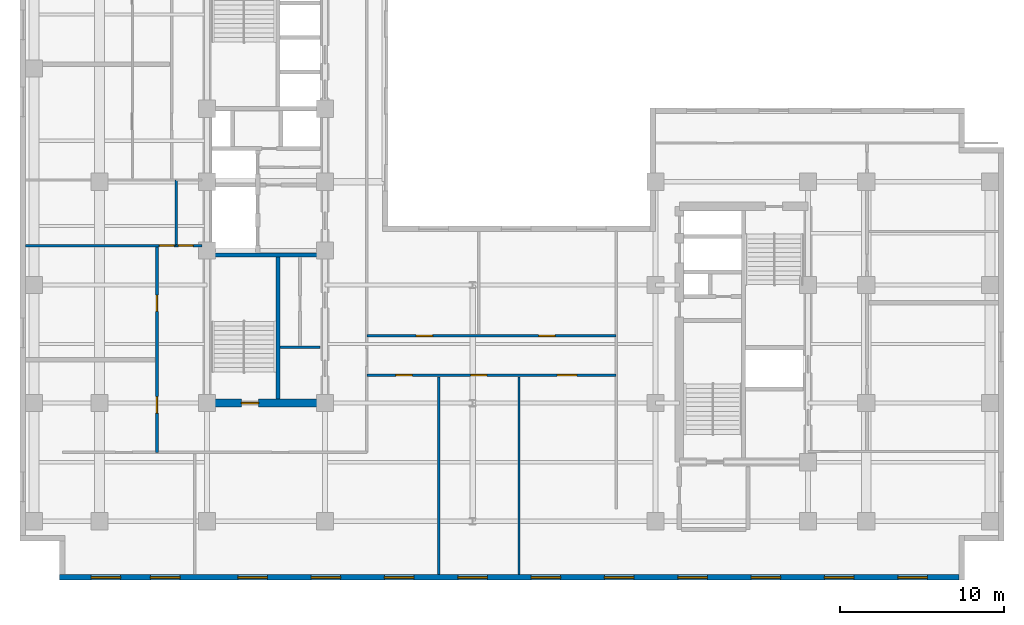
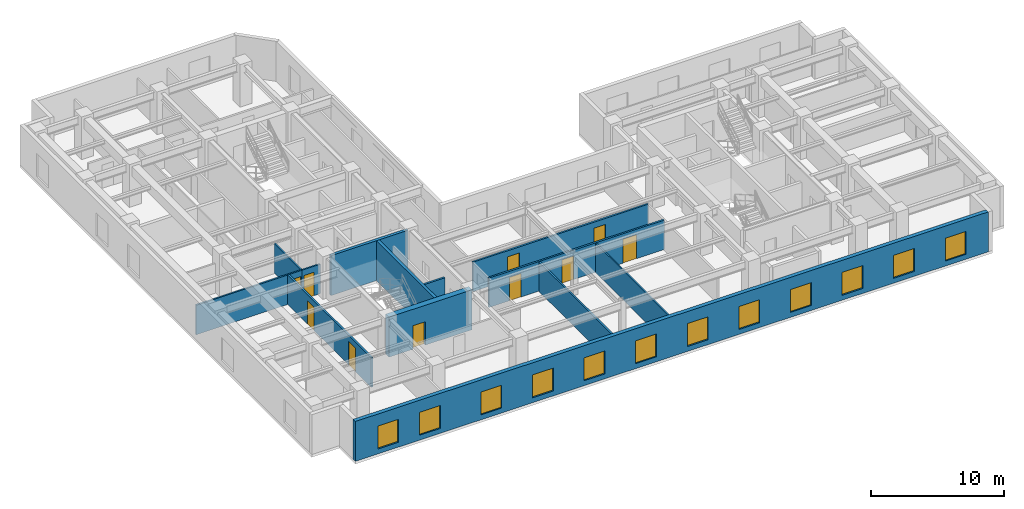
# One storey, part 3 of 10: 13 walls, 12 windows, 10 doors, 22 openings.
"""IFC4 building model written with IfcOpenShell, lengths in metres."""

from ifc_helpers import new_model, entity, si_unit, converted_unit, direction, frame, origin_with_axes, origin_2d_with_axis, place, context, subcontext, project, spatial, polyline, rectangle, outline, extrude, material, layer, layer_set, type_object, element, fill, save


model = new_model("IFC4")

# Units and contexts
model_context = context("Model", 3, precision=1e-05, world=origin_with_axes(), true_north=direction((0.0, 1.0)))
body_context = subcontext(model_context, "Body", "Model", "MODEL_VIEW")
ifc_project = project(units=[si_unit("LENGTHUNIT", "METRE"), si_unit("AREAUNIT", "SQUARE_METRE"), si_unit("VOLUMEUNIT", "CUBIC_METRE"), converted_unit("PLANEANGLEUNIT", "DEGREE", entity("IfcPlaneAngleMeasure", 0.017453292519943295), si_unit("PLANEANGLEUNIT", "RADIAN"), dimensions=[0, 0, 0, 0, 0, 0, 0]), si_unit("MASSUNIT", "GRAM", prefix="KILO"), si_unit("THERMODYNAMICTEMPERATUREUNIT", "KELVIN")], contexts=[model_context])

# Site, building, storey
site_placement = place(None, origin_with_axes())
site = spatial("IfcSite", under=ifc_project, at=site_placement, CompositionType="ELEMENT")
building_placement = place(site_placement, origin_with_axes())
building = spatial("IfcBuilding", under=site, at=building_placement, Name="Varnlund Millrace Tower", CompositionType="ELEMENT")
storey_placement = place(building_placement, frame((0.0, 0.0, 148.5), z_axis=(0.0, 0.0, 1.0), x_axis=(1.0, 0.0, 0.0)))
storey = spatial("IfcBuildingStorey", under=building, at=storey_placement, Name="L36", CompositionType="ELEMENT", Elevation=148.5)

# Wall, opening, door
ifc_material_1 = material(Name="Concrete C70/85", Category="concrete")
ifc_layer_1 = layer(ifc_material_1, 0.5, Name="Concrete C70/85")
ifc_layer_set_1 = layer_set([ifc_layer_1], Name="Concrete C70/85")
wall_type_1 = type_object("IfcWallType", Name="Type-CoreWall-Shear-500-C70", PredefinedType="SHEAR", material=ifc_layer_set_1)
wall_1_placement = place(storey_placement, frame((11.4, 10.8, 0.0), z_axis=(0.0, 0.0, 1.0), x_axis=(1.0, 0.0, 0.0)))
wall_1 = element("IfcWall", 1, at=wall_1_placement, inside=storey, type_object=wall_type_1, Name="Type-CoreWall-Shear-500-C70", PredefinedType="SHEAR", context=body_context, shape_type="SweptSolid", body=[
    extrude(outline(polyline([(0.0, -0.25), (7.2, -0.25), (7.2, 0.25), (0.0, 0.25), (0.0, -0.25)])), origin_with_axes(), (0.0, 0.0, 1.0), 3.66),
])
opening_1_placement = place(wall_1_placement, frame((2.625, 0.0, 0.0), z_axis=(0.0, 0.0, 1.0), x_axis=(1.0, 0.0, 0.0)))
opening_1 = element("IfcOpeningElement", 2, at=opening_1_placement, cuts=wall_1, Name="Opening L36:DR-STA1", PredefinedType="OPENING", context=body_context, shape_type="SweptSolid", body=[
    extrude(rectangle(XDim=1.05, YDim=0.52, at=origin_2d_with_axis()), origin_with_axes(), (0.0, 0.0, 1.0), 2.15),
])
ifc_material_2 = material(Name="Fire-rated hollow steel door", Category="steel")
door_type_1 = type_object("IfcDoorType", Name="Type-FireDoor-Stair-1050X2150", OperationType="NOTDEFINED", PredefinedType="DOOR", material=ifc_material_2)
door_1_placement = place(wall_1_placement, frame((2.625, 0.0, 0.0), z_axis=(0.0, 0.0, 1.0), x_axis=(1.0, 0.0, 0.0)))
door_1 = element("IfcDoor", 3, at=door_1_placement, inside=storey, type_object=door_type_1, Name="Type-FireDoor-Stair-1050X2150", OperationType="SINGLE_SWING_LEFT", OverallHeight=2.15, OverallWidth=1.05, PredefinedType="DOOR", context=body_context, shape_type="SweptSolid", body=[
    extrude(rectangle(XDim=1.05, YDim=0.09, at=origin_2d_with_axis()), origin_with_axes(), (0.0, 0.0, 1.0), 2.15),
])
fill(opening_1, door_1)

# Wall, openings, windows
ifc_material_3 = material(Name="Precast concrete C50/60", Category="concrete")
ifc_layer_2 = layer(ifc_material_3, 0.34, Name="Precast concrete C50/60")
ifc_layer_set_2 = layer_set([ifc_layer_2], Name="Precast concrete C50/60")
wall_type_2 = type_object("IfcWallType", Name="Type-ExtWall-Precast-Upper-340", PredefinedType="SOLIDWALL", material=ifc_layer_set_2)
wall_2_placement = place(storey_placement, frame((57.26, 0.17, 0.0), z_axis=(0.0, 0.0, 1.0), x_axis=(-1.0, 0.0, 0.0)))
wall_2 = element("IfcWall", 4, at=wall_2_placement, inside=storey, type_object=wall_type_2, Name="Type-ExtWall-Precast-Upper-340", PredefinedType="SOLIDWALL", context=body_context, shape_type="SweptSolid", body=[
    extrude(outline(polyline([(0.0, -0.17), (54.86, -0.17), (54.86, 0.17), (0.0, 0.17), (0.0, -0.17)])), origin_with_axes(), (0.0, 0.0, 1.0), 3.66),
])
opening_2_placement = place(wall_2_placement, frame((2.836, 0.0, 0.45), z_axis=(0.0, 0.0, 1.0), x_axis=(1.0, 0.0, 0.0)))
opening_2 = element("IfcOpeningElement", 5, at=opening_2_placement, cuts=wall_2, Name="Opening L36:WN-07", PredefinedType="OPENING", context=body_context, shape_type="SweptSolid", body=[
    extrude(rectangle(XDim=1.8, YDim=0.36, at=origin_2d_with_axis()), origin_with_axes(), (0.0, 0.0, 1.0), 2.1),
])
opening_3_placement = place(wall_2_placement, frame((7.307, 0.0, 0.45), z_axis=(0.0, 0.0, 1.0), x_axis=(1.0, 0.0, 0.0)))
opening_3 = element("IfcOpeningElement", 6, at=opening_3_placement, cuts=wall_2, Name="Opening L36:WN-08", PredefinedType="OPENING", context=body_context, shape_type="SweptSolid", body=[
    extrude(rectangle(XDim=1.8, YDim=0.36, at=origin_2d_with_axis()), origin_with_axes(), (0.0, 0.0, 1.0), 2.1),
])
opening_4_placement = place(wall_2_placement, frame((11.779, 0.0, 0.45), z_axis=(0.0, 0.0, 1.0), x_axis=(1.0, 0.0, 0.0)))
opening_4 = element("IfcOpeningElement", 7, at=opening_4_placement, cuts=wall_2, Name="Opening L36:WN-09", PredefinedType="OPENING", context=body_context, shape_type="SweptSolid", body=[
    extrude(rectangle(XDim=1.8, YDim=0.36, at=origin_2d_with_axis()), origin_with_axes(), (0.0, 0.0, 1.0), 2.1),
])
opening_5_placement = place(wall_2_placement, frame((16.251, 0.0, 0.45), z_axis=(0.0, 0.0, 1.0), x_axis=(1.0, 0.0, 0.0)))
opening_5 = element("IfcOpeningElement", 8, at=opening_5_placement, cuts=wall_2, Name="Opening L36:WN-10", PredefinedType="OPENING", context=body_context, shape_type="SweptSolid", body=[
    extrude(rectangle(XDim=1.8, YDim=0.36, at=origin_2d_with_axis()), origin_with_axes(), (0.0, 0.0, 1.0), 2.1),
])
opening_6_placement = place(wall_2_placement, frame((20.723, 0.0, 0.45), z_axis=(0.0, 0.0, 1.0), x_axis=(1.0, 0.0, 0.0)))
opening_6 = element("IfcOpeningElement", 9, at=opening_6_placement, cuts=wall_2, Name="Opening L36:WN-11", PredefinedType="OPENING", context=body_context, shape_type="SweptSolid", body=[
    extrude(rectangle(XDim=1.8, YDim=0.36, at=origin_2d_with_axis()), origin_with_axes(), (0.0, 0.0, 1.0), 2.1),
])
opening_7_placement = place(wall_2_placement, frame((25.194, 0.0, 0.45), z_axis=(0.0, 0.0, 1.0), x_axis=(1.0, 0.0, 0.0)))
opening_7 = element("IfcOpeningElement", 10, at=opening_7_placement, cuts=wall_2, Name="Opening L36:WN-12", PredefinedType="OPENING", context=body_context, shape_type="SweptSolid", body=[
    extrude(rectangle(XDim=1.8, YDim=0.36, at=origin_2d_with_axis()), origin_with_axes(), (0.0, 0.0, 1.0), 2.1),
])
opening_8_placement = place(wall_2_placement, frame((29.666, 0.0, 0.45), z_axis=(0.0, 0.0, 1.0), x_axis=(1.0, 0.0, 0.0)))
opening_8 = element("IfcOpeningElement", 11, at=opening_8_placement, cuts=wall_2, Name="Opening L36:WN-13", PredefinedType="OPENING", context=body_context, shape_type="SweptSolid", body=[
    extrude(rectangle(XDim=1.8, YDim=0.36, at=origin_2d_with_axis()), origin_with_axes(), (0.0, 0.0, 1.0), 2.1),
])
opening_9_placement = place(wall_2_placement, frame((34.138, 0.0, 0.45), z_axis=(0.0, 0.0, 1.0), x_axis=(1.0, 0.0, 0.0)))
opening_9 = element("IfcOpeningElement", 12, at=opening_9_placement, cuts=wall_2, Name="Opening L36:WN-14", PredefinedType="OPENING", context=body_context, shape_type="SweptSolid", body=[
    extrude(rectangle(XDim=1.8, YDim=0.36, at=origin_2d_with_axis()), origin_with_axes(), (0.0, 0.0, 1.0), 2.1),
])
opening_10_placement = place(wall_2_placement, frame((38.609, 0.0, 0.45), z_axis=(0.0, 0.0, 1.0), x_axis=(1.0, 0.0, 0.0)))
opening_10 = element("IfcOpeningElement", 13, at=opening_10_placement, cuts=wall_2, Name="Opening L36:WN-15", PredefinedType="OPENING", context=body_context, shape_type="SweptSolid", body=[
    extrude(rectangle(XDim=1.8, YDim=0.36, at=origin_2d_with_axis()), origin_with_axes(), (0.0, 0.0, 1.0), 2.1),
])
opening_11_placement = place(wall_2_placement, frame((43.081, 0.0, 0.45), z_axis=(0.0, 0.0, 1.0), x_axis=(1.0, 0.0, 0.0)))
opening_11 = element("IfcOpeningElement", 14, at=opening_11_placement, cuts=wall_2, Name="Opening L36:WN-16", PredefinedType="OPENING", context=body_context, shape_type="SweptSolid", body=[
    extrude(rectangle(XDim=1.8, YDim=0.36, at=origin_2d_with_axis()), origin_with_axes(), (0.0, 0.0, 1.0), 2.1),
])
opening_12_placement = place(wall_2_placement, frame((48.403, 0.0, 0.45), z_axis=(0.0, 0.0, 1.0), x_axis=(1.0, 0.0, 0.0)))
opening_12 = element("IfcOpeningElement", 15, at=opening_12_placement, cuts=wall_2, Name="Opening L36:WN-17", PredefinedType="OPENING", context=body_context, shape_type="SweptSolid", body=[
    extrude(rectangle(XDim=1.8, YDim=0.36, at=origin_2d_with_axis()), origin_with_axes(), (0.0, 0.0, 1.0), 2.1),
])
opening_13_placement = place(wall_2_placement, frame((52.024, 0.0, 0.45), z_axis=(0.0, 0.0, 1.0), x_axis=(1.0, 0.0, 0.0)))
opening_13 = element("IfcOpeningElement", 16, at=opening_13_placement, cuts=wall_2, Name="Opening L36:WN-18", PredefinedType="OPENING", context=body_context, shape_type="SweptSolid", body=[
    extrude(rectangle(XDim=1.8, YDim=0.36, at=origin_2d_with_axis()), origin_with_axes(), (0.0, 0.0, 1.0), 2.1),
])
ifc_material_4 = material(Name="Argon low-e triple glazing in thermally broken bronze frame", Category="glass")
window_type = type_object("IfcWindowType", Name="Type-Window-Punched-1800X2100", PartitioningType="SINGLE_PANEL", PredefinedType="WINDOW", material=ifc_material_4)
window_1_placement = place(wall_2_placement, frame((2.836, 0.0, 0.45), z_axis=(0.0, 0.0, 1.0), x_axis=(1.0, 0.0, 0.0)))
window_1 = element("IfcWindow", 17, at=window_1_placement, inside=storey, type_object=window_type, Name="Type-Window-Punched-1800X2100", OverallHeight=2.1, OverallWidth=1.8, PredefinedType="WINDOW", context=body_context, shape_type="SweptSolid", body=[
    extrude(rectangle(XDim=1.8, YDim=0.09, at=origin_2d_with_axis()), origin_with_axes(), (0.0, 0.0, 1.0), 2.1),
])
fill(opening_2, window_1)
window_2_placement = place(wall_2_placement, frame((7.307, 0.0, 0.45), z_axis=(0.0, 0.0, 1.0), x_axis=(1.0, 0.0, 0.0)))
window_2 = element("IfcWindow", 18, at=window_2_placement, inside=storey, type_object=window_type, Name="Type-Window-Punched-1800X2100", OverallHeight=2.1, OverallWidth=1.8, PredefinedType="WINDOW", context=body_context, shape_type="SweptSolid", body=[
    extrude(rectangle(XDim=1.8, YDim=0.09, at=origin_2d_with_axis()), origin_with_axes(), (0.0, 0.0, 1.0), 2.1),
])
fill(opening_3, window_2)
window_3_placement = place(wall_2_placement, frame((11.779, 0.0, 0.45), z_axis=(0.0, 0.0, 1.0), x_axis=(1.0, 0.0, 0.0)))
window_3 = element("IfcWindow", 19, at=window_3_placement, inside=storey, type_object=window_type, Name="Type-Window-Punched-1800X2100", OverallHeight=2.1, OverallWidth=1.8, PredefinedType="WINDOW", context=body_context, shape_type="SweptSolid", body=[
    extrude(rectangle(XDim=1.8, YDim=0.09, at=origin_2d_with_axis()), origin_with_axes(), (0.0, 0.0, 1.0), 2.1),
])
fill(opening_4, window_3)
window_4_placement = place(wall_2_placement, frame((16.251, 0.0, 0.45), z_axis=(0.0, 0.0, 1.0), x_axis=(1.0, 0.0, 0.0)))
window_4 = element("IfcWindow", 20, at=window_4_placement, inside=storey, type_object=window_type, Name="Type-Window-Punched-1800X2100", OverallHeight=2.1, OverallWidth=1.8, PredefinedType="WINDOW", context=body_context, shape_type="SweptSolid", body=[
    extrude(rectangle(XDim=1.8, YDim=0.09, at=origin_2d_with_axis()), origin_with_axes(), (0.0, 0.0, 1.0), 2.1),
])
fill(opening_5, window_4)
window_5_placement = place(wall_2_placement, frame((20.723, 0.0, 0.45), z_axis=(0.0, 0.0, 1.0), x_axis=(1.0, 0.0, 0.0)))
window_5 = element("IfcWindow", 21, at=window_5_placement, inside=storey, type_object=window_type, Name="Type-Window-Punched-1800X2100", OverallHeight=2.1, OverallWidth=1.8, PredefinedType="WINDOW", context=body_context, shape_type="SweptSolid", body=[
    extrude(rectangle(XDim=1.8, YDim=0.09, at=origin_2d_with_axis()), origin_with_axes(), (0.0, 0.0, 1.0), 2.1),
])
fill(opening_6, window_5)
window_6_placement = place(wall_2_placement, frame((25.194, 0.0, 0.45), z_axis=(0.0, 0.0, 1.0), x_axis=(1.0, 0.0, 0.0)))
window_6 = element("IfcWindow", 22, at=window_6_placement, inside=storey, type_object=window_type, Name="Type-Window-Punched-1800X2100", OverallHeight=2.1, OverallWidth=1.8, PredefinedType="WINDOW", context=body_context, shape_type="SweptSolid", body=[
    extrude(rectangle(XDim=1.8, YDim=0.09, at=origin_2d_with_axis()), origin_with_axes(), (0.0, 0.0, 1.0), 2.1),
])
fill(opening_7, window_6)
window_7_placement = place(wall_2_placement, frame((29.666, 0.0, 0.45), z_axis=(0.0, 0.0, 1.0), x_axis=(1.0, 0.0, 0.0)))
window_7 = element("IfcWindow", 23, at=window_7_placement, inside=storey, type_object=window_type, Name="Type-Window-Punched-1800X2100", OverallHeight=2.1, OverallWidth=1.8, PredefinedType="WINDOW", context=body_context, shape_type="SweptSolid", body=[
    extrude(rectangle(XDim=1.8, YDim=0.09, at=origin_2d_with_axis()), origin_with_axes(), (0.0, 0.0, 1.0), 2.1),
])
fill(opening_8, window_7)
window_8_placement = place(wall_2_placement, frame((34.138, 0.0, 0.45), z_axis=(0.0, 0.0, 1.0), x_axis=(1.0, 0.0, 0.0)))
window_8 = element("IfcWindow", 24, at=window_8_placement, inside=storey, type_object=window_type, Name="Type-Window-Punched-1800X2100", OverallHeight=2.1, OverallWidth=1.8, PredefinedType="WINDOW", context=body_context, shape_type="SweptSolid", body=[
    extrude(rectangle(XDim=1.8, YDim=0.09, at=origin_2d_with_axis()), origin_with_axes(), (0.0, 0.0, 1.0), 2.1),
])
fill(opening_9, window_8)
window_9_placement = place(wall_2_placement, frame((38.609, 0.0, 0.45), z_axis=(0.0, 0.0, 1.0), x_axis=(1.0, 0.0, 0.0)))
window_9 = element("IfcWindow", 25, at=window_9_placement, inside=storey, type_object=window_type, Name="Type-Window-Punched-1800X2100", OverallHeight=2.1, OverallWidth=1.8, PredefinedType="WINDOW", context=body_context, shape_type="SweptSolid", body=[
    extrude(rectangle(XDim=1.8, YDim=0.09, at=origin_2d_with_axis()), origin_with_axes(), (0.0, 0.0, 1.0), 2.1),
])
fill(opening_10, window_9)
window_10_placement = place(wall_2_placement, frame((43.081, 0.0, 0.45), z_axis=(0.0, 0.0, 1.0), x_axis=(1.0, 0.0, 0.0)))
window_10 = element("IfcWindow", 26, at=window_10_placement, inside=storey, type_object=window_type, Name="Type-Window-Punched-1800X2100", OverallHeight=2.1, OverallWidth=1.8, PredefinedType="WINDOW", context=body_context, shape_type="SweptSolid", body=[
    extrude(rectangle(XDim=1.8, YDim=0.09, at=origin_2d_with_axis()), origin_with_axes(), (0.0, 0.0, 1.0), 2.1),
])
fill(opening_11, window_10)
window_11_placement = place(wall_2_placement, frame((48.403, 0.0, 0.45), z_axis=(0.0, 0.0, 1.0), x_axis=(1.0, 0.0, 0.0)))
window_11 = element("IfcWindow", 27, at=window_11_placement, inside=storey, type_object=window_type, Name="Type-Window-Punched-1800X2100", OverallHeight=2.1, OverallWidth=1.8, PredefinedType="WINDOW", context=body_context, shape_type="SweptSolid", body=[
    extrude(rectangle(XDim=1.8, YDim=0.09, at=origin_2d_with_axis()), origin_with_axes(), (0.0, 0.0, 1.0), 2.1),
])
fill(opening_12, window_11)
window_12_placement = place(wall_2_placement, frame((52.024, 0.0, 0.45), z_axis=(0.0, 0.0, 1.0), x_axis=(1.0, 0.0, 0.0)))
window_12 = element("IfcWindow", 28, at=window_12_placement, inside=storey, type_object=window_type, Name="Type-Window-Punched-1800X2100", OverallHeight=2.1, OverallWidth=1.8, PredefinedType="WINDOW", context=body_context, shape_type="SweptSolid", body=[
    extrude(rectangle(XDim=1.8, YDim=0.09, at=origin_2d_with_axis()), origin_with_axes(), (0.0, 0.0, 1.0), 2.1),
])
fill(opening_13, window_12)

# Wall
ifc_material_5 = material(Name="Fire-rated gypsum board on cold-formed steel framing", Category="steel")
ifc_layer_3 = layer(ifc_material_5, 0.16, Name="Fire-rated gypsum board on cold-formed steel framing")
ifc_layer_set_3 = layer_set([ifc_layer_3], Name="Fire-rated gypsum board on cold-formed steel framing")
wall_type_3 = type_object("IfcWallType", Name="Type-Partition-Corridor-160", PredefinedType="PARTITIONING", material=ifc_layer_set_3)
wall_3_placement = place(storey_placement, frame((15.84, 14.2, 0.0), z_axis=(0.0, 0.0, 1.0), x_axis=(1.0, 0.0, 0.0)))
element("IfcWall", 29, at=wall_3_placement, inside=storey, type_object=wall_type_3, Name="Type-Partition-Corridor-160", PredefinedType="PARTITIONING", context=body_context, shape_type="SweptSolid", body=[
    extrude(outline(polyline([(0.0, -0.08), (2.46, -0.08), (2.46, 0.08), (0.0, 0.08), (0.0, -0.08)])), origin_with_axes(), (0.0, 0.0, 1.0), 2.7),
])

# Wall, openings, doors
wall_4_placement = place(storey_placement, frame((8.35, 7.8, 0.0), z_axis=(0.0, 0.0, 1.0), x_axis=(0.0, 1.0, 0.0)))
wall_4 = element("IfcWall", 30, at=wall_4_placement, inside=storey, type_object=wall_type_3, Name="Type-Partition-Corridor-160", PredefinedType="PARTITIONING", context=body_context, shape_type="SweptSolid", body=[
    extrude(outline(polyline([(0.0, -0.08), (12.6, -0.08), (12.6, 0.08), (0.0, 0.08), (0.0, -0.08)])), origin_with_axes(), (0.0, 0.0, 1.0), 2.7),
])
opening_14_placement = place(wall_4_placement, frame((2.8925, 0.0, 0.0), z_axis=(0.0, 0.0, 1.0), x_axis=(1.0, 0.0, 0.0)))
opening_14 = element("IfcOpeningElement", 31, at=opening_14_placement, cuts=wall_4, Name="Opening L36:DR-WS-01", PredefinedType="OPENING", context=body_context, shape_type="SweptSolid", body=[
    extrude(rectangle(XDim=1.0, YDim=0.18, at=origin_2d_with_axis()), origin_with_axes(), (0.0, 0.0, 1.0), 2.15),
])
opening_15_placement = place(wall_4_placement, frame((9.0875, 0.0, 0.0), z_axis=(0.0, 0.0, 1.0), x_axis=(1.0, 0.0, 0.0)))
opening_15 = element("IfcOpeningElement", 32, at=opening_15_placement, cuts=wall_4, Name="Opening L36:DR-WS-02", PredefinedType="OPENING", context=body_context, shape_type="SweptSolid", body=[
    extrude(rectangle(XDim=1.0, YDim=0.18, at=origin_2d_with_axis()), origin_with_axes(), (0.0, 0.0, 1.0), 2.15),
])
ifc_material_6 = material(Name="Solid-core white oak and bronze frame door")
door_type_2 = type_object("IfcDoorType", Name="Type-IntDoor-Office-1000X2150", OperationType="NOTDEFINED", PredefinedType="DOOR", material=ifc_material_6)
door_2_placement = place(wall_4_placement, frame((2.8925, 0.0, 0.0), z_axis=(0.0, 0.0, 1.0), x_axis=(1.0, 0.0, 0.0)))
door_2 = element("IfcDoor", 33, at=door_2_placement, inside=storey, type_object=door_type_2, Name="Type-IntDoor-Office-1000X2150", OperationType="SINGLE_SWING_LEFT", OverallHeight=2.15, OverallWidth=1.0, PredefinedType="DOOR", context=body_context, shape_type="SweptSolid", body=[
    extrude(rectangle(XDim=1.0, YDim=0.09, at=origin_2d_with_axis()), origin_with_axes(), (0.0, 0.0, 1.0), 2.15),
])
fill(opening_14, door_2)
door_3_placement = place(wall_4_placement, frame((9.0875, 0.0, 0.0), z_axis=(0.0, 0.0, 1.0), x_axis=(1.0, 0.0, 0.0)))
door_3 = element("IfcDoor", 34, at=door_3_placement, inside=storey, type_object=door_type_2, Name="Type-IntDoor-Office-1000X2150", OperationType="SINGLE_SWING_RIGHT", OverallHeight=2.15, OverallWidth=1.0, PredefinedType="DOOR", context=body_context, shape_type="SweptSolid", body=[
    extrude(rectangle(XDim=1.0, YDim=0.09, at=origin_2d_with_axis()), origin_with_axes(), (0.0, 0.0, 1.0), 2.15),
])
fill(opening_15, door_3)

wall_5_placement = place(storey_placement, frame((21.15, 12.5, 0.0), z_axis=(0.0, 0.0, 1.0), x_axis=(1.0, 0.0, 0.0)))
wall_5 = element("IfcWall", 35, at=wall_5_placement, inside=storey, type_object=wall_type_3, Name="Type-Partition-Corridor-160", PredefinedType="PARTITIONING", context=body_context, shape_type="SweptSolid", body=[
    extrude(outline(polyline([(0.0, -0.08), (15.2, -0.08), (15.2, 0.08), (0.0, 0.08), (0.0, -0.08)])), origin_with_axes(), (0.0, 0.0, 1.0), 2.7),
])
opening_16_placement = place(wall_5_placement, frame((2.276, 0.0, 0.0), z_axis=(0.0, 0.0, 1.0), x_axis=(1.0, 0.0, 0.0)))
opening_16 = element("IfcOpeningElement", 36, at=opening_16_placement, cuts=wall_5, Name="Opening L36:DR-KNS-01", PredefinedType="OPENING", context=body_context, shape_type="SweptSolid", body=[
    extrude(rectangle(XDim=1.0, YDim=0.18, at=origin_2d_with_axis()), origin_with_axes(), (0.0, 0.0, 1.0), 2.15),
])
opening_17_placement = place(wall_5_placement, frame((6.8245, 0.0, 0.0), z_axis=(0.0, 0.0, 1.0), x_axis=(1.0, 0.0, 0.0)))
opening_17 = element("IfcOpeningElement", 37, at=opening_17_placement, cuts=wall_5, Name="Opening L36:DR-KNS-02", PredefinedType="OPENING", context=body_context, shape_type="SweptSolid", body=[
    extrude(rectangle(XDim=1.0, YDim=0.18, at=origin_2d_with_axis()), origin_with_axes(), (0.0, 0.0, 1.0), 2.15),
])
opening_18_placement = place(wall_5_placement, frame((12.1985, 0.0, 0.0), z_axis=(0.0, 0.0, 1.0), x_axis=(1.0, 0.0, 0.0)))
opening_18 = element("IfcOpeningElement", 38, at=opening_18_placement, cuts=wall_5, Name="Opening L36:DR-KNS-03", PredefinedType="OPENING", context=body_context, shape_type="SweptSolid", body=[
    extrude(rectangle(XDim=1.2, YDim=0.18, at=origin_2d_with_axis()), origin_with_axes(), (0.0, 0.0, 1.0), 2.2),
])
ifc_material_7 = material(Name="Wide executive white oak acoustic door")
door_type_3 = type_object("IfcDoorType", Name="Type-IntDoor-Exec-1200X2200", OperationType="NOTDEFINED", PredefinedType="DOOR", material=ifc_material_7)
door_4_placement = place(wall_5_placement, frame((12.1985, 0.0, 0.0), z_axis=(0.0, 0.0, 1.0), x_axis=(1.0, 0.0, 0.0)))
door_4 = element("IfcDoor", 39, at=door_4_placement, inside=storey, type_object=door_type_3, Name="Type-IntDoor-Exec-1200X2200", OperationType="SINGLE_SWING_LEFT", OverallHeight=2.2, OverallWidth=1.2, PredefinedType="DOOR", context=body_context, shape_type="SweptSolid", body=[
    extrude(rectangle(XDim=1.2, YDim=0.09, at=origin_2d_with_axis()), origin_with_axes(), (0.0, 0.0, 1.0), 2.2),
])
fill(opening_18, door_4)
door_5_placement = place(wall_5_placement, frame((2.276, 0.0, 0.0), z_axis=(0.0, 0.0, 1.0), x_axis=(1.0, 0.0, 0.0)))
door_5 = element("IfcDoor", 40, at=door_5_placement, inside=storey, type_object=door_type_2, Name="Type-IntDoor-Office-1000X2150", OperationType="SINGLE_SWING_LEFT", OverallHeight=2.15, OverallWidth=1.0, PredefinedType="DOOR", context=body_context, shape_type="SweptSolid", body=[
    extrude(rectangle(XDim=1.0, YDim=0.09, at=origin_2d_with_axis()), origin_with_axes(), (0.0, 0.0, 1.0), 2.15),
])
fill(opening_16, door_5)
door_6_placement = place(wall_5_placement, frame((6.8245, 0.0, 0.0), z_axis=(0.0, 0.0, 1.0), x_axis=(1.0, 0.0, 0.0)))
door_6 = element("IfcDoor", 41, at=door_6_placement, inside=storey, type_object=door_type_2, Name="Type-IntDoor-Office-1000X2150", OperationType="SINGLE_SWING_RIGHT", OverallHeight=2.15, OverallWidth=1.0, PredefinedType="DOOR", context=body_context, shape_type="SweptSolid", body=[
    extrude(rectangle(XDim=1.0, YDim=0.09, at=origin_2d_with_axis()), origin_with_axes(), (0.0, 0.0, 1.0), 2.15),
])
fill(opening_17, door_6)

wall_6_placement = place(storey_placement, frame((21.15, 14.9, 0.0), z_axis=(0.0, 0.0, 1.0), x_axis=(1.0, 0.0, 0.0)))
wall_6 = element("IfcWall", 42, at=wall_6_placement, inside=storey, type_object=wall_type_3, Name="Type-Partition-Corridor-160", PredefinedType="PARTITIONING", context=body_context, shape_type="SweptSolid", body=[
    extrude(outline(polyline([(0.0, -0.08), (15.2, -0.08), (15.2, 0.08), (0.0, 0.08), (0.0, -0.08)])), origin_with_axes(), (0.0, 0.0, 1.0), 2.7),
])
opening_19_placement = place(wall_6_placement, frame((3.5065, 0.0, 0.0), z_axis=(0.0, 0.0, 1.0), x_axis=(1.0, 0.0, 0.0)))
opening_19 = element("IfcOpeningElement", 43, at=opening_19_placement, cuts=wall_6, Name="Opening L36:DR-KN-01", PredefinedType="OPENING", context=body_context, shape_type="SweptSolid", body=[
    extrude(rectangle(XDim=1.0, YDim=0.18, at=origin_2d_with_axis()), origin_with_axes(), (0.0, 0.0, 1.0), 2.15),
])
opening_20_placement = place(wall_6_placement, frame((10.9765, 0.0, 0.0), z_axis=(0.0, 0.0, 1.0), x_axis=(1.0, 0.0, 0.0)))
opening_20 = element("IfcOpeningElement", 44, at=opening_20_placement, cuts=wall_6, Name="Opening L36:DR-KN-02", PredefinedType="OPENING", context=body_context, shape_type="SweptSolid", body=[
    extrude(rectangle(XDim=1.0, YDim=0.18, at=origin_2d_with_axis()), origin_with_axes(), (0.0, 0.0, 1.0), 2.15),
])
door_7_placement = place(wall_6_placement, frame((3.5065, 0.0, 0.0), z_axis=(0.0, 0.0, 1.0), x_axis=(1.0, 0.0, 0.0)))
door_7 = element("IfcDoor", 45, at=door_7_placement, inside=storey, type_object=door_type_2, Name="Type-IntDoor-Office-1000X2150", OperationType="SINGLE_SWING_LEFT", OverallHeight=2.15, OverallWidth=1.0, PredefinedType="DOOR", context=body_context, shape_type="SweptSolid", body=[
    extrude(rectangle(XDim=1.0, YDim=0.09, at=origin_2d_with_axis()), origin_with_axes(), (0.0, 0.0, 1.0), 2.15),
])
fill(opening_19, door_7)
door_8_placement = place(wall_6_placement, frame((10.9765, 0.0, 0.0), z_axis=(0.0, 0.0, 1.0), x_axis=(1.0, 0.0, 0.0)))
door_8 = element("IfcDoor", 46, at=door_8_placement, inside=storey, type_object=door_type_2, Name="Type-IntDoor-Office-1000X2150", OperationType="SINGLE_SWING_RIGHT", OverallHeight=2.15, OverallWidth=1.0, PredefinedType="DOOR", context=body_context, shape_type="SweptSolid", body=[
    extrude(rectangle(XDim=1.0, YDim=0.09, at=origin_2d_with_axis()), origin_with_axes(), (0.0, 0.0, 1.0), 2.15),
])
fill(opening_20, door_8)

# Walls
ifc_material_8 = material(Name="Acoustic STC-50 gypsum board partition", Category="gypsum")
ifc_layer_4 = layer(ifc_material_8, 0.15, Name="Acoustic STC-50 gypsum board partition")
ifc_layer_set_4 = layer_set([ifc_layer_4], Name="Acoustic STC-50 gypsum board partition")
wall_type_4 = type_object("IfcWallType", Name="Type-Partition-Demising-150", PredefinedType="PARTITIONING", material=ifc_layer_set_4)
wall_7_placement = place(storey_placement, frame((25.522, 0.335, 0.0), z_axis=(0.0, 0.0, 1.0), x_axis=(0.0, 1.0, 0.0)))
element("IfcWall", 47, at=wall_7_placement, inside=storey, type_object=wall_type_4, Name="Type-Partition-Demising-150", PredefinedType="PARTITIONING", context=body_context, shape_type="SweptSolid", body=[
    extrude(outline(polyline([(0.0, -0.075), (12.045, -0.075), (12.045, 0.075), (0.0, 0.075), (0.0, -0.075)])), origin_with_axes(), (0.0, 0.0, 1.0), 2.7),
])
ifc_material_9 = material(Name="Gypsum board tenant partition", Category="gypsum")
ifc_layer_5 = layer(ifc_material_9, 0.125, Name="Gypsum board tenant partition")
ifc_layer_set_5 = layer_set([ifc_layer_5], Name="Gypsum board tenant partition")
wall_type_5 = type_object("IfcWallType", Name="Type-Partition-Tenant-125", PredefinedType="PARTITIONING", material=ifc_layer_set_5)
wall_8_placement = place(storey_placement, frame((30.427, 0.335, 0.0), z_axis=(0.0, 0.0, 1.0), x_axis=(0.0, 1.0, 0.0)))
element("IfcWall", 48, at=wall_8_placement, inside=storey, type_object=wall_type_5, Name="Type-Partition-Tenant-125", PredefinedType="PARTITIONING", context=body_context, shape_type="SweptSolid", body=[
    extrude(outline(polyline([(0.0, -0.0625), (12.045, -0.0625), (12.045, 0.0625), (0.0, 0.0625), (0.0, -0.0625)])), origin_with_axes(), (0.0, 0.0, 1.0), 2.7),
])
ifc_material_10 = material(Name="Moisture-resistant gypsum restroom partition", Category="gypsum")
ifc_layer_6 = layer(ifc_material_10, 0.14, Name="Moisture-resistant gypsum restroom partition")
ifc_layer_set_6 = layer_set([ifc_layer_6], Name="Moisture-resistant gypsum restroom partition")
wall_type_6 = type_object("IfcWallType", Name="Type-Partition-Wet-140", PredefinedType="PARTITIONING", material=ifc_layer_set_6)
wall_9_placement = place(storey_placement, frame((9.52, 20.4, 0.0), z_axis=(0.0, 0.0, 1.0), x_axis=(0.0, 1.0, 0.0)))
element("IfcWall", 49, at=wall_9_placement, inside=storey, type_object=wall_type_6, Name="Type-Partition-Wet-140", PredefinedType="PARTITIONING", context=body_context, shape_type="SweptSolid", body=[
    extrude(outline(polyline([(0.0, -0.07), (4.0, -0.07), (4.0, 0.07), (0.0, 0.07), (0.0, -0.07)])), origin_with_axes(), (0.0, 0.0, 1.0), 2.7),
])

# Wall, opening, door
wall_10_placement = place(storey_placement, frame((9.52, 20.4, 0.0), z_axis=(0.0, 0.0, 1.0), x_axis=(1.0, 0.0, 0.0)))
wall_10 = element("IfcWall", 50, at=wall_10_placement, inside=storey, type_object=wall_type_6, Name="Type-Partition-Wet-140", PredefinedType="PARTITIONING", context=body_context, shape_type="SweptSolid", body=[
    extrude(outline(polyline([(0.0, -0.07), (1.58, -0.07), (1.58, 0.07), (0.0, 0.07), (0.0, -0.07)])), origin_with_axes(), (0.0, 0.0, 1.0), 2.7),
])
opening_21_placement = place(wall_10_placement, frame((0.59, 0.0, 0.0), z_axis=(0.0, 0.0, 1.0), x_axis=(1.0, 0.0, 0.0)))
opening_21 = element("IfcOpeningElement", 51, at=opening_21_placement, cuts=wall_10, Name="Opening L36:DR-CA-WCW", PredefinedType="OPENING", context=body_context, shape_type="SweptSolid", body=[
    extrude(rectangle(XDim=0.9, YDim=0.16, at=origin_2d_with_axis()), origin_with_axes(), (0.0, 0.0, 1.0), 2.15),
])
ifc_material_11 = material(Name="Painted steel riser and closet door", Category="steel")
door_type_4 = type_object("IfcDoorType", Name="Type-IntDoor-Closet-900X2150", OperationType="NOTDEFINED", PredefinedType="DOOR", material=ifc_material_11)
door_9_placement = place(wall_10_placement, frame((0.59, 0.0, 0.0), z_axis=(0.0, 0.0, 1.0), x_axis=(1.0, 0.0, 0.0)))
door_9 = element("IfcDoor", 52, at=door_9_placement, inside=storey, type_object=door_type_4, Name="Type-IntDoor-Closet-900X2150", OperationType="SINGLE_SWING_LEFT", OverallHeight=2.15, OverallWidth=0.9, PredefinedType="DOOR", context=body_context, shape_type="SweptSolid", body=[
    extrude(rectangle(XDim=0.9, YDim=0.084, at=origin_2d_with_axis()), origin_with_axes(), (0.0, 0.0, 1.0), 2.15),
])
fill(opening_21, door_9)

wall_11_placement = place(storey_placement, frame((0.335, 20.4, 0.0), z_axis=(0.0, 0.0, 1.0), x_axis=(1.0, 0.0, 0.0)))
wall_11 = element("IfcWall", 53, at=wall_11_placement, inside=storey, type_object=wall_type_6, Name="Type-Partition-Wet-140", PredefinedType="PARTITIONING", context=body_context, shape_type="SweptSolid", body=[
    extrude(outline(polyline([(0.0, -0.07), (9.185, -0.07), (9.185, 0.07), (0.0, 0.07), (0.0, -0.07)])), origin_with_axes(), (0.0, 0.0, 1.0), 2.7),
])
opening_22_placement = place(wall_11_placement, frame((8.615, 0.0, 0.0), z_axis=(0.0, 0.0, 1.0), x_axis=(1.0, 0.0, 0.0)))
opening_22 = element("IfcOpeningElement", 54, at=opening_22_placement, cuts=wall_11, Name="Opening L36:DR-W-MIDR", PredefinedType="OPENING", context=body_context, shape_type="SweptSolid", body=[
    extrude(rectangle(XDim=0.9, YDim=0.16, at=origin_2d_with_axis()), origin_with_axes(), (0.0, 0.0, 1.0), 2.15),
])
door_10_placement = place(wall_11_placement, frame((8.615, 0.0, 0.0), z_axis=(0.0, 0.0, 1.0), x_axis=(1.0, 0.0, 0.0)))
door_10 = element("IfcDoor", 55, at=door_10_placement, inside=storey, type_object=door_type_4, Name="Type-IntDoor-Closet-900X2150", OperationType="SINGLE_SWING_LEFT", OverallHeight=2.15, OverallWidth=0.9, PredefinedType="DOOR", context=body_context, shape_type="SweptSolid", body=[
    extrude(rectangle(XDim=0.9, YDim=0.084, at=origin_2d_with_axis()), origin_with_axes(), (0.0, 0.0, 1.0), 2.15),
])
fill(opening_22, door_10)

# Walls
ifc_material_12 = material(Name="Concrete C60/75", Category="concrete")
ifc_layer_7 = layer(ifc_material_12, 0.25, Name="Concrete C60/75")
ifc_layer_set_7 = layer_set([ifc_layer_7], Name="Concrete C60/75")
wall_type_7 = type_object("IfcWallType", Name="Type-StairWall-Shear-250", PredefinedType="SHEAR", material=ifc_layer_set_7)
wall_12_placement = place(storey_placement, frame((15.725, 11.05, 0.0), z_axis=(0.0, 0.0, 1.0), x_axis=(0.0, 1.0, 0.0)))
element("IfcWall", 56, at=wall_12_placement, inside=storey, type_object=wall_type_7, Name="Type-StairWall-Shear-250", PredefinedType="SHEAR", context=body_context, shape_type="SweptSolid", body=[
    extrude(outline(polyline([(0.0, -0.125), (8.65, -0.125), (8.65, 0.125), (0.0, 0.125), (0.0, -0.125)])), origin_with_axes(), (0.0, 0.0, 1.0), 3.66),
])
wall_13_placement = place(storey_placement, frame((11.65, 19.825, 0.0), z_axis=(0.0, 0.0, 1.0), x_axis=(1.0, 0.0, 0.0)))
element("IfcWall", 57, at=wall_13_placement, inside=storey, type_object=wall_type_7, Name="Type-StairWall-Shear-250", PredefinedType="SHEAR", context=body_context, shape_type="SweptSolid", body=[
    extrude(outline(polyline([(0.0, -0.125), (6.7, -0.125), (6.7, 0.125), (0.0, 0.125), (0.0, -0.125)])), origin_with_axes(), (0.0, 0.0, 1.0), 3.66),
])

save(model, "model.ifc")
